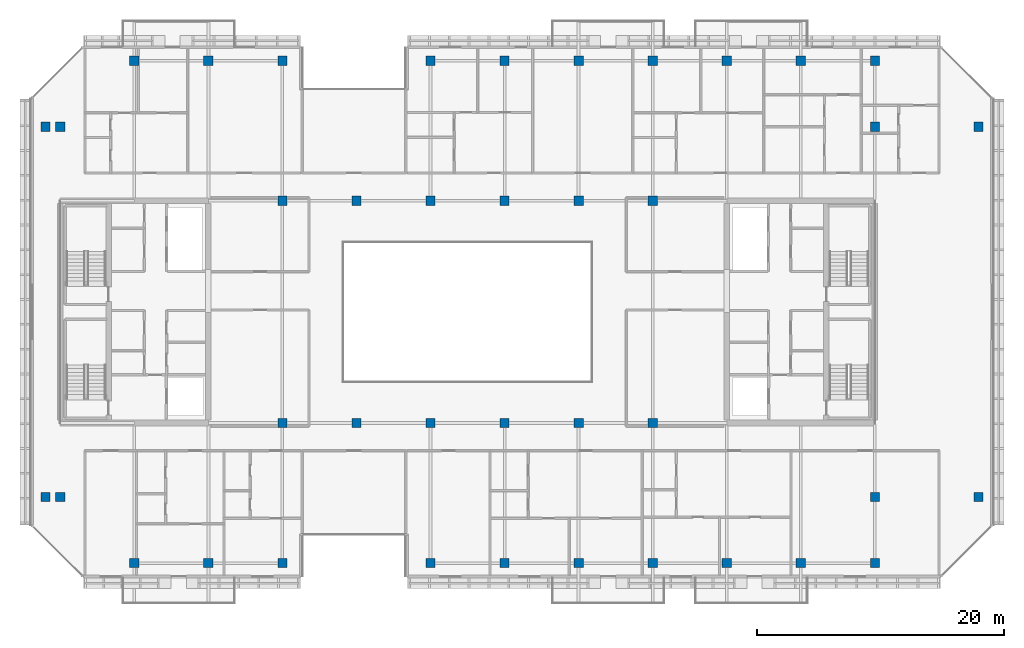
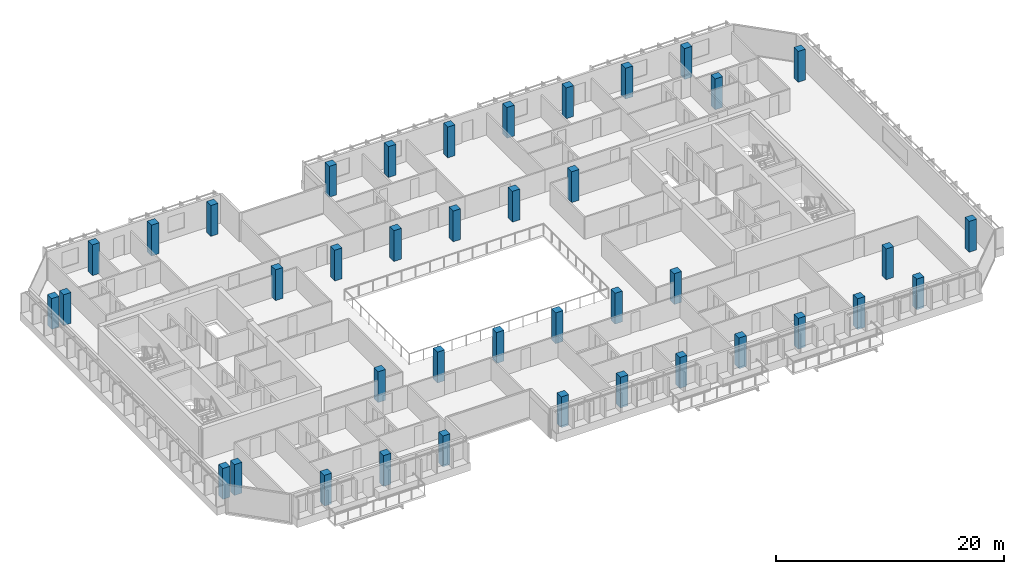
# One storey, part 1 of 25: 40 columns.
"""IFC4 building model written with IfcOpenShell, lengths in metres."""

from ifc_helpers import new_model, si_unit, direction, frame, origin, origin_2d, place, context, subcontext, project, spatial, rectangle, extrude, material, material_profile, profile_set, type_object, element, save


model = new_model("IFC4")

# Units and contexts
model_context = context("Model", 3, precision=1e-05, world=origin(), true_north=direction((0.0, 1.0)))
body_context = subcontext(model_context, "Body", "Model", "MODEL_VIEW")
ifc_project = project(units=[si_unit("LENGTHUNIT", "METRE"), si_unit("AREAUNIT", "SQUARE_METRE"), si_unit("VOLUMEUNIT", "CUBIC_METRE"), si_unit("PLANEANGLEUNIT", "RADIAN"), si_unit("MASSUNIT", "GRAM", prefix="KILO")], contexts=[model_context])

# Site, building, storey
site_placement = place(None, origin())
site = spatial("IfcSite", under=ifc_project, at=site_placement, CompositionType="ELEMENT")
building_placement = place(site_placement, origin())
building = spatial("IfcBuilding", under=site, at=building_placement, Name="Tanjung Sevakor Pilgrim Tower", CompositionType="ELEMENT")
storey_placement = place(building_placement, frame((0.0, 0.0, 204.929931640625)))
storey = spatial("IfcBuildingStorey", under=building, at=storey_placement, Name="L57", CompositionType="ELEMENT", Elevation=204.929931640625)

# Columns
ifc_material = material(Name="Concrete C60/75", Category="concrete")
ifc_material_profile = material_profile(ifc_material, rectangle(XDim=0.75, YDim=0.75, at=origin_2d()))
ifc_profile_set = profile_set([ifc_material_profile], Name="Concrete C60/75")
column_type = type_object("IfcColumnType", Name="COL-C-T750-RC_750x750", PredefinedType="COLUMN", material=ifc_profile_set)
for number, where, z_axis, x_axis, name in (
    (1, (42.0, 24.60009765625, 0.0), (0.0, 0.0, 1.0), (1.0, 0.0, 0.0), "L57 Column SPW-042-246"),
    (2, (42.0, 42.60009765625, 0.0), (0.0, 0.0, 1.0), (1.0, 0.0, 0.0), "L57 Column SPW-042-426"),
    (3, (48.0, 24.60009765625, 0.0), (0.0, 0.0, 1.0), (1.0, 0.0, 0.0), "L57 Column SPW-048-246"),
    (4, (48.0, 42.60009765625, 0.0), (0.0, 0.0, 1.0), (1.0, 0.0, 0.0), "L57 Column SPW-048-426"),
    (5, (54.0, 24.60009765625, 0.0), (0.0, 0.0, 1.0), (1.0, 0.0, 0.0), "L57 Column SPE-054-246"),
    (6, (54.0, 42.60009765625, 0.0), (0.0, 0.0, 1.0), (1.0, 0.0, 0.0), "L57 Column SPE-054-426"),
    (7, (60.0, 24.60009765625, 0.0), (0.0, 0.0, 1.0), (1.0, 0.0, 0.0), "L57 Column SPE-060-246"),
    (8, (60.0, 42.60009765625, 0.0), (0.0, 0.0, 1.0), (1.0, 0.0, 0.0), "L57 Column SPE-060-426"),
    (9, (66.0, 24.60009765625, 0.0), (0.0, 0.0, 1.0), (1.0, 0.0, 0.0), "L57 Column SPE-066-246"),
    (10, (66.0, 42.60009765625, 0.0), (0.0, 0.0, 1.0), (1.0, 0.0, 0.0), "L57 Column SPE-066-426"),
    (11, (72.0, 24.60009765625, 0.0), (0.0, 0.0, 1.0), (1.0, 0.0, 0.0), "L57 Column SPE-072-246"),
    (12, (72.0, 42.60009765625, 0.0), (0.0, 0.0, 1.0), (1.0, 0.0, 0.0), "L57 Column SPE-072-426"),
    (13, (22.800048828125, 18.60009765625, 0.0), (0.0, 0.0, 1.0), (1.0, 0.0, 0.0), "L57 Column TCE-0228-186"),
    (14, (22.800048828125, 48.60009765625, 0.0), (0.0, 0.0, 1.0), (1.0, 0.0, 0.0), "L57 Column TCE-0228-486"),
    (15, (24.0, 18.60009765625, 0.0), (0.0, 0.0, 1.0), (1.0, 0.0, 0.0), "L57 Column TCE-0240-186"),
    (16, (24.0, 48.60009765625, 0.0), (0.0, 0.0, 1.0), (1.0, 0.0, 0.0), "L57 Column TCE-0240-486"),
    (17, (90.0, 18.60009765625, 0.0), (0.0, 0.0, 1.0), (1.0, 0.0, 0.0), "L57 Column TCE-0900-186"),
    (18, (90.0, 48.60009765625, 0.0), (0.0, 0.0, 1.0), (1.0, 0.0, 0.0), "L57 Column TCE-0900-486"),
    (19, (98.39990234375, 18.60009765625, 0.0), (0.0, 0.0, 1.0), (1.0, 0.0, 0.0), "L57 Column TCE-0984-186"),
    (20, (98.39990234375, 48.60009765625, 0.0), (0.0, 0.0, 1.0), (1.0, 0.0, 0.0), "L57 Column TCE-0984-486"),
    (21, (30.0, 13.25, 0.0), (0.0, 0.0, 1.0), (1.0, 0.0, 0.0), "L57 Column TC4-030-132"),
    (22, (30.0, 53.949951171875, 0.0), (0.0, 0.0, 1.0), (1.0, 0.0, 0.0), "L57 Column TC4-030-540"),
    (23, (36.0, 13.25, 0.0), (0.0, 0.0, 1.0), (1.0, 0.0, 0.0), "L57 Column TC4-036-132"),
    (24, (36.0, 53.949951171875, 0.0), (0.0, 0.0, 1.0), (1.0, 0.0, 0.0), "L57 Column TC4-036-540"),
    (25, (42.0, 13.25, 0.0), (0.0, 0.0, 1.0), (1.0, 0.0, 0.0), "L57 Column TC4-042-132"),
    (26, (42.0, 53.949951171875, 0.0), (0.0, 0.0, 1.0), (1.0, 0.0, 0.0), "L57 Column TC4-042-540"),
    (27, (54.0, 13.25, 0.0), (0.0, 0.0, 1.0), (1.0, 0.0, 0.0), "L57 Column TC4-054-132"),
    (28, (54.0, 53.949951171875, 0.0), (0.0, 0.0, 1.0), (1.0, 0.0, 0.0), "L57 Column TC4-054-540"),
    (29, (60.0, 13.25, 0.0), (0.0, 0.0, 1.0), (1.0, 0.0, 0.0), "L57 Column TC4-060-132"),
    (30, (60.0, 53.949951171875, 0.0), (0.0, 0.0, 1.0), (1.0, 0.0, 0.0), "L57 Column TC4-060-540"),
    (31, (66.0, 13.25, 0.0), (0.0, 0.0, 1.0), (1.0, 0.0, 0.0), "L57 Column TC4-066-132"),
    (32, (66.0, 53.949951171875, 0.0), (0.0, 0.0, 1.0), (1.0, 0.0, 0.0), "L57 Column TC4-066-540"),
    (33, (72.0, 13.25, 0.0), (0.0, 0.0, 1.0), (1.0, 0.0, 0.0), "L57 Column TC4-072-132"),
    (34, (72.0, 53.949951171875, 0.0), (0.0, 0.0, 1.0), (1.0, 0.0, 0.0), "L57 Column TC4-072-540"),
    (35, (78.0, 13.25, 0.0), (0.0, 0.0, 1.0), (1.0, 0.0, 0.0), "L57 Column TC4-078-132"),
    (36, (78.0, 53.949951171875, 0.0), (0.0, 0.0, 1.0), (1.0, 0.0, 0.0), "L57 Column TC4-078-540"),
    (37, (84.0, 13.25, 0.0), (0.0, 0.0, 1.0), (1.0, 0.0, 0.0), "L57 Column TC4-084-132"),
    (38, (84.0, 53.949951171875, 0.0), (0.0, 0.0, 1.0), (1.0, 0.0, 0.0), "L57 Column TC4-084-540"),
    (39, (90.0, 13.25, 0.0), (0.0, 0.0, 1.0), (1.0, 0.0, 0.0), "L57 Column TC4-090-132"),
    (40, (90.0, 53.949951171875, 0.0), (0.0, 0.0, 1.0), (1.0, 0.0, 0.0), "L57 Column TC4-090-540"),
):
    element("IfcColumn", number, at=place(storey_placement, frame(where, z_axis=z_axis, x_axis=x_axis)), inside=storey, type_object=column_type, Name=name, PredefinedType="COLUMN", context=body_context, shape_type="SweptSolid", body=[
        extrude(rectangle(XDim=0.75, YDim=0.75, at=origin_2d()), origin(), (0.0, 0.0, 1.0), 3.300048828125),
    ])

save(model, "model.ifc")
